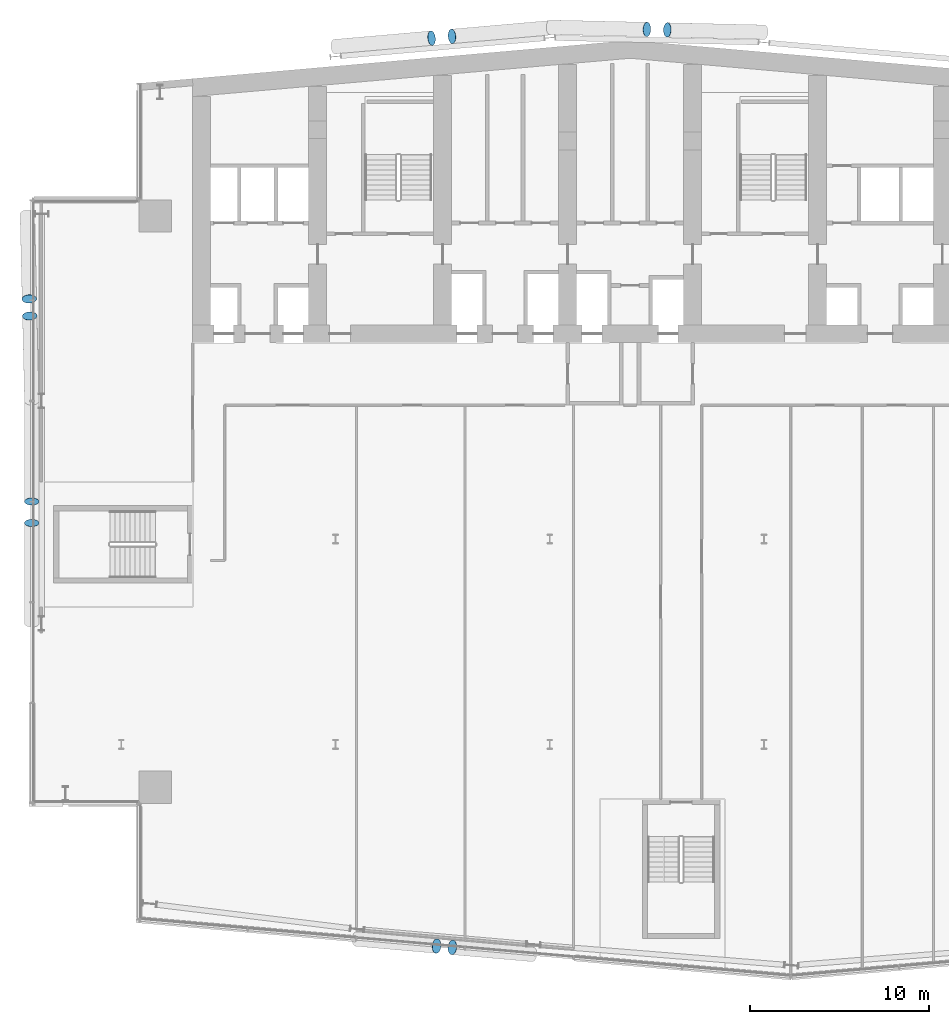
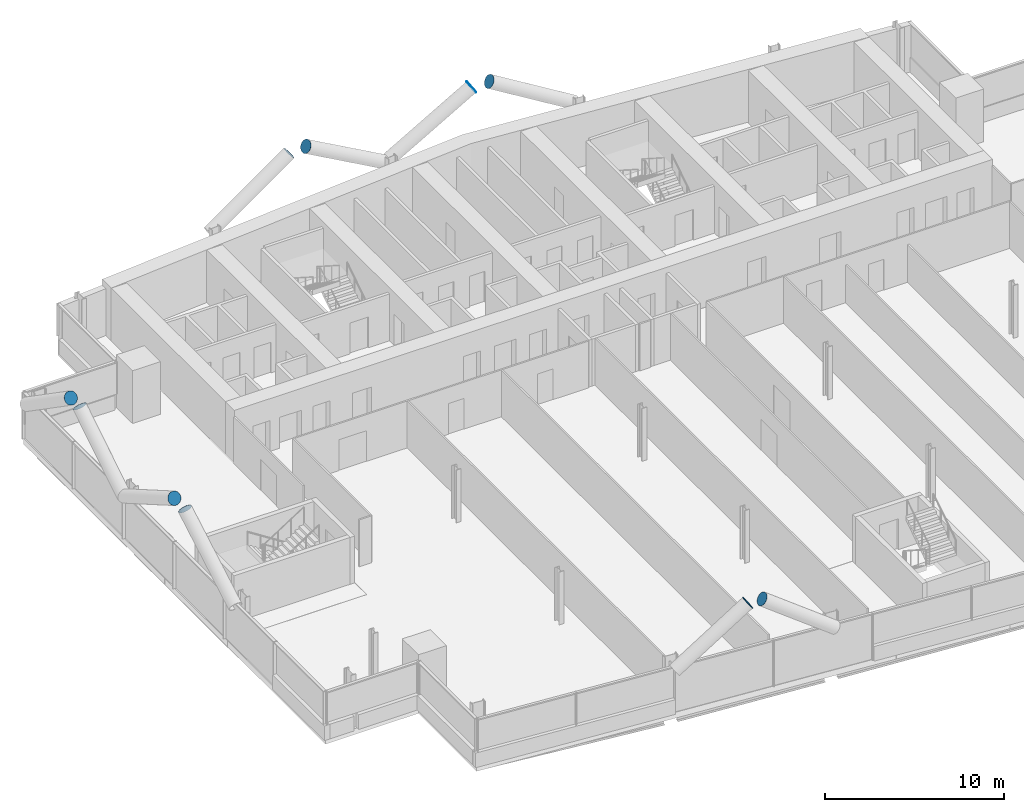
# One storey, part 20 of 25: 10 discrete accessories.
"""IFC4 building model written with IfcOpenShell, lengths in metres."""

from ifc_helpers import new_model, si_unit, direction, frame, origin, origin_2d, place, context, subcontext, project, spatial, circle, extrude, material, material_profile, profile_set, type_object, element, save


model = new_model("IFC4")

# Units and contexts
model_context = context("Model", 3, precision=1e-05, world=origin(), true_north=direction((0.0, 1.0)))
body_context = subcontext(model_context, "Body", "Model", "MODEL_VIEW")
ifc_project = project(units=[si_unit("LENGTHUNIT", "METRE"), si_unit("AREAUNIT", "SQUARE_METRE"), si_unit("VOLUMEUNIT", "CUBIC_METRE"), si_unit("PLANEANGLEUNIT", "RADIAN"), si_unit("MASSUNIT", "GRAM", prefix="KILO")], contexts=[model_context])

# Site, building, storey
site_placement = place(None, origin())
site = spatial("IfcSite", under=ifc_project, at=site_placement, CompositionType="ELEMENT")
building_placement = place(site_placement, origin())
building = spatial("IfcBuilding", under=site, at=building_placement, Name="Wharfspan Tower", CompositionType="ELEMENT")
storey_placement = place(building_placement, frame((0.0, 0.0, 129.100098)))
storey = spatial("IfcBuildingStorey", under=building, at=storey_placement, Name="L30", CompositionType="ELEMENT", Elevation=129.100098)

# Discrete accessories
ifc_material = material(Name="Steel S460NH", Category="steel")
ifc_material_profile = material_profile(ifc_material, circle(Radius=0.406494, at=origin_2d()))
ifc_profile_set = profile_set([ifc_material_profile], Name="Steel S460NH")
discrete_accessory_type = type_object("IfcDiscreteAccessoryType", Name="End plate CHS 813x40", PredefinedType="BRACKET", material=ifc_profile_set)
for number, where, z_axis, x_axis, name in (
    (1, (29.654785, 0.202881, 6.173096), (0.806559, -0.073324, 0.586588), (0.090536, 0.99589, 0.0), "End plate CHS 813x40"),
    (2, (30.551514, 0.124512, 6.173096), (-0.806559, 0.073324, 0.586588), (-0.090536, -0.99589, 0.0), "End plate CHS 813x40"),
):
    element("IfcDiscreteAccessory", number, at=place(storey_placement, frame(where, z_axis=z_axis, x_axis=x_axis)), inside=storey, type_object=discrete_accessory_type, Name=name, PredefinedType="BRACKET", context=body_context, shape_type="SweptSolid", body=[
        extrude(circle(Radius=0.406494, at=origin_2d()), origin(), (0.0, 0.0, 1.0), 0.01001),
    ])
for number, where, z_axis, x_axis, name in (
    (3, (6.985107, 25.105957, 6.149902), (0.0, -0.868243, 0.496139), (1.0, 0.0, 0.0), "End plate CHS 813x40"),
    (4, (6.985107, 23.894043, 6.149902), (0.0, 0.868243, 0.496139), (-1.0, 0.0, 0.0), "End plate CHS 813x40"),
    (5, (6.8479, 36.455078, 6.166992), (0.024853, -0.820145, 0.571616), (0.999542, 0.03029, 1e-06), "End plate CHS 813x40"),
):
    element("IfcDiscreteAccessory", number, at=place(storey_placement, frame(where, z_axis=z_axis, x_axis=x_axis)), inside=storey, type_object=discrete_accessory_type, Name=name, PredefinedType="BRACKET", context=body_context, shape_type="SweptSolid", body=[
        extrude(circle(Radius=0.406494, at=origin_2d()), origin(), (0.0, 0.0, 1.0), 0.009766),
    ])
for number, where, z_axis, x_axis, name in (
    (6, (6.871094, 35.486084, 6.166992), (-0.024354, 0.828038, 0.560143), (-0.999568, -0.029399, 0.0), "End plate CHS 813x40"),
    (7, (41.435059, 51.541504, 6.15332), (0.857236, -0.024492, 0.514341), (0.028558, 0.999591, 2e-06), "End plate CHS 813x40"),
    (8, (42.590332, 51.514893, 6.15332), (-0.857236, 0.024492, 0.514341), (-0.028558, -0.999591, 2e-06), "End plate CHS 813x40"),
    (9, (29.373291, 51.05542, 6.153076), (0.853405, 0.097532, 0.512043), (-0.113547, 0.993531, 1e-06), "End plate CHS 813x40"),
    (10, (30.529785, 51.156738, 6.153076), (-0.855186, -0.073302, 0.513112), (0.085402, -0.996345, 1e-06), "End plate CHS 813x40"),
):
    element("IfcDiscreteAccessory", number, at=place(storey_placement, frame(where, z_axis=z_axis, x_axis=x_axis)), inside=storey, type_object=discrete_accessory_type, Name=name, PredefinedType="BRACKET", context=body_context, shape_type="SweptSolid", body=[
        extrude(circle(Radius=0.406494, at=origin_2d()), origin(), (0.0, 0.0, 1.0), 0.01001),
    ])

save(model, "model.ifc")
